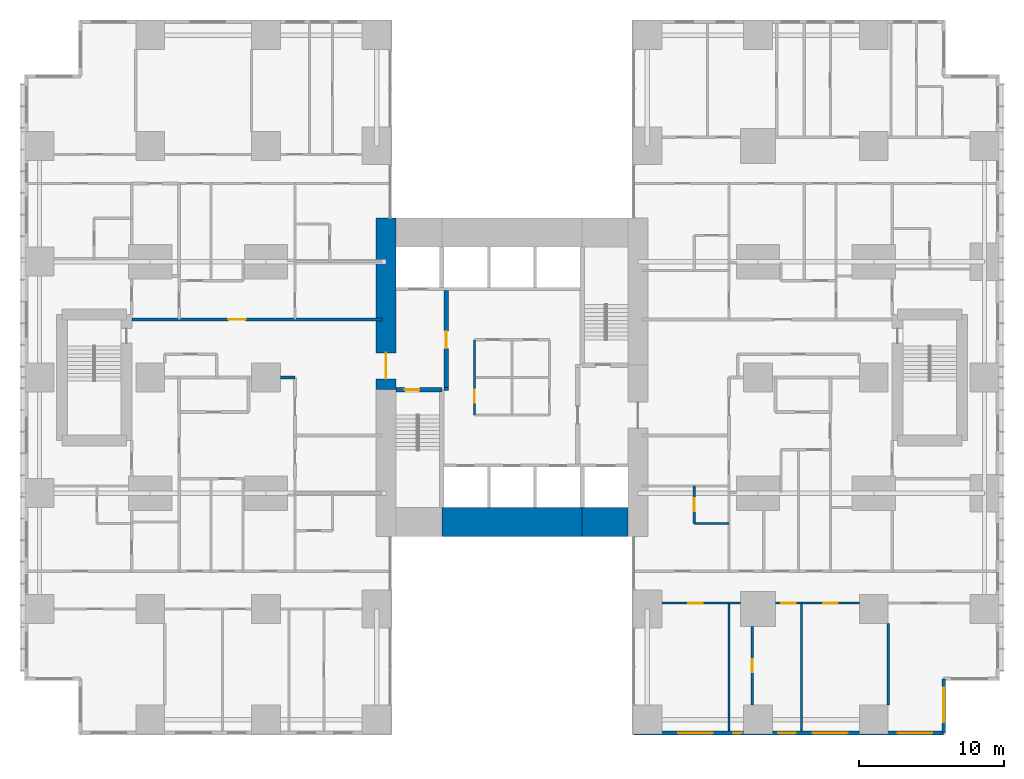
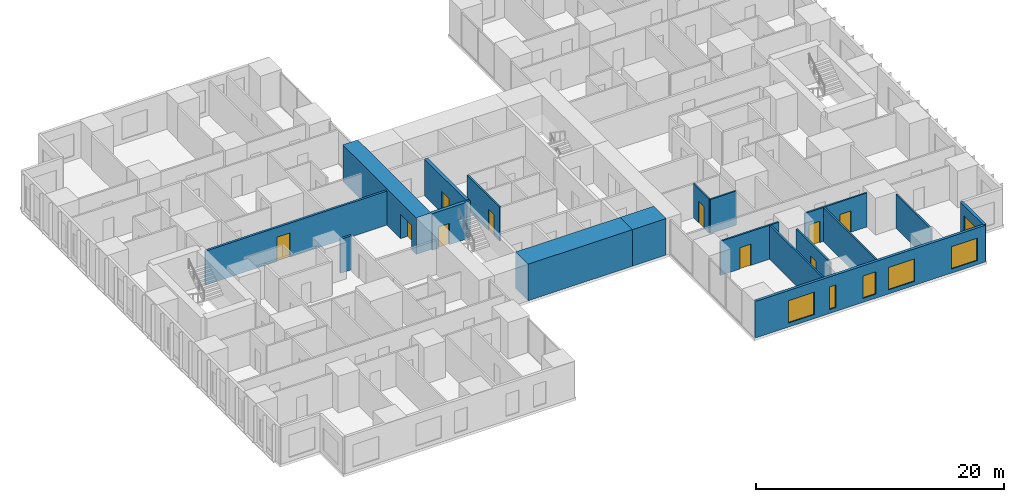
# One storey, part 14 of 20: 19 walls, 10 doors, 6 windows, 16 openings.
"""IFC4 building model written with IfcOpenShell, lengths in metres."""

from ifc_helpers import new_model, si_unit, direction, frame, frame_2d, origin, place, context, subcontext, project, spatial, rectangle, extrude, material, layer, layer_set, type_object, element, fill, save


model = new_model("IFC4")

# Units and contexts
model_context = context("Model", 3, precision=1e-05, world=origin(), true_north=direction((0.0, 1.0)))
body_context = subcontext(model_context, "Body", "Model", "MODEL_VIEW")
ifc_project = project(units=[si_unit("LENGTHUNIT", "METRE"), si_unit("AREAUNIT", "SQUARE_METRE"), si_unit("VOLUMEUNIT", "CUBIC_METRE"), si_unit("PLANEANGLEUNIT", "RADIAN"), si_unit("MASSUNIT", "GRAM", prefix="KILO")], contexts=[model_context])

# Site, building, storey
site_placement = place(None, origin())
site = spatial("IfcSite", under=ifc_project, at=site_placement, CompositionType="ELEMENT")
building_placement = place(site_placement, origin())
building = spatial("IfcBuilding", under=site, at=building_placement, Name="Cleftline Residences", CompositionType="ELEMENT")
storey_placement = place(building_placement, frame((0.0, 0.0, 139.39990234375)))
storey = spatial("IfcBuildingStorey", under=building, at=storey_placement, Name="L36", CompositionType="ELEMENT", Elevation=139.39990234375)

# Wall, opening, door
ifc_material_1 = material(Name="Concrete B70", Category="concrete")
ifc_layer_1 = layer(ifc_material_1, 1.39990234375)
ifc_layer_set_1 = layer_set([ifc_layer_1], Name="CORE WALL 1400")
wall_type_1 = type_object("IfcWallType", Name="CORE WALL 1400", PredefinedType="SHEAR", material=ifc_layer_set_1)
wall_1_placement = place(storey_placement, frame((24.300048828125, 23.14990234375, 0.0), z_axis=(0.0, 0.0, 1.0), x_axis=(0.0, 1.0, 0.0)))
wall_1 = element("IfcWall", 1, at=wall_1_placement, inside=storey, type_object=wall_type_1, Name="Core wall W", PredefinedType="SHEAR", context=body_context, shape_type="SweptSolid", body=[
    extrude(rectangle(XDim=11.85009765625, YDim=1.39990234375, at=frame_2d((5.925048828125, 0.0))), origin(), (0.0, 0.0, 1.0), 3.60009765625),
])
opening_1_placement = place(wall_1_placement, frame((0.75, 0.0, 0.0)))
opening_1 = element("IfcOpeningElement", 2, at=opening_1_placement, cuts=wall_1, Name="Opening D7", PredefinedType="OPENING", context=body_context, shape_type="SweptSolid", body=[
    extrude(rectangle(XDim=1.800048828125, YDim=2.39990234375, at=frame_2d((0.89990234375, 1.199951171875))), frame((0.0, 0.7099609375, 0.0), z_axis=(0.0, -1.0, 0.0), x_axis=(1.0, 0.0, 0.0)), (0.0, 0.0, 1.0), 1.419921875),
])
ifc_material_2 = material(Name="Steel", Category="steel")
door_type_1 = type_object("IfcDoorType", Name="WING DOOR 1800X2400", OperationType="DOUBLE_DOOR_DOUBLE_SWING", PredefinedType="DOOR", material=ifc_material_2)
door_1_placement = place(opening_1_placement, origin())
door_1 = element("IfcDoor", 3, at=door_1_placement, inside=storey, type_object=door_type_1, Name="West wing door", OperationType="DOUBLE_DOOR_DOUBLE_SWING", OverallHeight=2.39990234375, OverallWidth=1.800048828125, PredefinedType="DOOR", context=body_context, shape_type="SweptSolid", body=[
    extrude(rectangle(XDim=1.800048828125, YDim=2.39990234375, at=frame_2d((0.89990234375, 1.199951171875))), frame((0.0, 0.02490234375, 0.0), z_axis=(0.0, -1.0, 0.0), x_axis=(1.0, 0.0, 0.0)), (0.0, 0.0, 1.0), 0.050048828125),
])
fill(opening_1, door_1)

# Walls
ifc_material_3 = material(Name="Concrete B70", Category="concrete")
ifc_layer_2 = layer(ifc_material_3, 2.0)
ifc_layer_set_2 = layer_set([ifc_layer_2], Name="CORE WALL 2000")
wall_type_2 = type_object("IfcWallType", Name="CORE WALL 2000", PredefinedType="SHEAR", material=ifc_layer_set_2)
wall_2_placement = place(storey_placement, frame((28.14990234375, 14.0, 0.0), z_axis=(0.0, 0.0, 1.0), x_axis=(1.0, 0.0, 0.0)))
element("IfcWall", 4, at=wall_2_placement, inside=storey, type_object=wall_type_2, Name="Core wall S2", PredefinedType="SHEAR", context=body_context, shape_type="SweptSolid", body=[
    extrude(rectangle(XDim=9.7001953125, YDim=2.0, at=frame_2d((4.85009765625, 0.0))), origin(), (0.0, 0.0, 1.0), 3.60009765625),
])
wall_3_placement = place(storey_placement, frame((37.85009765625, 14.0, 0.0), z_axis=(0.0, 0.0, 1.0), x_axis=(1.0, 0.0, 0.0)))
element("IfcWall", 5, at=wall_3_placement, inside=storey, type_object=wall_type_2, Name="Core wall S3", PredefinedType="SHEAR", context=body_context, shape_type="SweptSolid", body=[
    extrude(rectangle(XDim=3.14990234375, YDim=2.0, at=frame_2d((1.574951171875, 0.0))), origin(), (0.0, 0.0, 1.0), 3.60009765625),
])

# Wall, opening, door
ifc_material_4 = material(Name="Concrete B70", Category="concrete")
ifc_layer_3 = layer(ifc_material_4, 0.300048828125)
ifc_layer_set_3 = layer_set([ifc_layer_3], Name="CORE WALL 300")
wall_type_3 = type_object("IfcWallType", Name="CORE WALL 300", PredefinedType="SHEAR", material=ifc_layer_set_3)
wall_4_placement = place(storey_placement, frame((25.0, 23.14990234375, 0.0), z_axis=(0.0, 0.0, 1.0), x_axis=(1.0, 0.0, 0.0)))
wall_4 = element("IfcWall", 6, at=wall_4_placement, inside=storey, type_object=wall_type_3, Name="Core wall SA-N", PredefinedType="SHEAR", context=body_context, shape_type="SweptSolid", body=[
    extrude(rectangle(XDim=3.14990234375, YDim=0.300048828125, at=frame_2d((1.574951171875, 0.0))), origin(), (0.0, 0.0, 1.0), 3.60009765625),
])
opening_2_placement = place(wall_4_placement, frame((0.60009765625, 0.0, 0.0)))
opening_2 = element("IfcOpeningElement", 7, at=opening_2_placement, cuts=wall_4, Name="Opening D5", PredefinedType="OPENING", context=body_context, shape_type="SweptSolid", body=[
    extrude(rectangle(XDim=1.0, YDim=2.10009765625, at=frame_2d((0.5, 1.050048828125))), frame((0.0, 0.159912109375, 0.0), z_axis=(0.0, -1.0, 0.0), x_axis=(1.0, 0.0, 0.0)), (0.0, 0.0, 1.0), 0.320068359375),
])
ifc_material_5 = material(Name="Steel", Category="steel")
door_type_2 = type_object("IfcDoorType", Name="STAIR DOOR 1000X2100", OperationType="SINGLE_SWING_LEFT", PredefinedType="DOOR", material=ifc_material_5)
door_2_placement = place(opening_2_placement, origin())
door_2 = element("IfcDoor", 8, at=door_2_placement, inside=storey, type_object=door_type_2, Name="Stair A door", OperationType="SINGLE_SWING_RIGHT", OverallHeight=2.10009765625, OverallWidth=1.0, PredefinedType="DOOR", context=body_context, shape_type="SweptSolid", body=[
    extrude(rectangle(XDim=1.0, YDim=2.10009765625, at=frame_2d((0.5, 1.050048828125))), frame((0.0, 0.02490234375, 0.0), z_axis=(0.0, -1.0, 0.0), x_axis=(1.0, 0.0, 0.0)), (0.0, 0.0, 1.0), 0.050048828125),
])
fill(opening_2, door_2)

# Wall, openings, windows
ifc_material_6 = material(Name="Rendered reinforced concrete blockwork", Category="masonry")
ifc_layer_4 = layer(ifc_material_6, 0.25)
ifc_layer_set_4 = layer_set([ifc_layer_4], Name="EXTERNAL WALL 250")
wall_type_4 = type_object("IfcWallType", Name="EXTERNAL WALL 250", PredefinedType="SOLIDWALL", material=ifc_layer_set_4)
wall_5_placement = place(storey_placement, frame((41.425048828125, -0.574951171875, 0.0), z_axis=(0.0, 0.0, 1.0), x_axis=(1.0, 0.0, 0.0)))
wall_5 = element("IfcWall", 9, at=wall_5_placement, inside=storey, type_object=wall_type_4, Name="External wall", PredefinedType="SOLIDWALL", context=body_context, shape_type="SweptSolid", body=[
    extrude(rectangle(XDim=21.39990234375, YDim=0.25, at=frame_2d((10.699951171875, 0.0))), origin(), (0.0, 0.0, 1.0), 3.60009765625),
])
opening_3_placement = place(wall_5_placement, frame((3.050048828125, 0.0, 0.39990234375)))
opening_3 = element("IfcOpeningElement", 10, at=opening_3_placement, cuts=wall_5, Name="Opening W12", PredefinedType="OPENING", context=body_context, shape_type="SweptSolid", body=[
    extrude(rectangle(XDim=2.39990234375, YDim=2.199951171875, at=frame_2d((1.199951171875, 1.10009765625))), frame((0.0, 0.135009765625, 0.0), z_axis=(0.0, -1.0, 0.0), x_axis=(1.0, 0.0, 0.0)), (0.0, 0.0, 1.0), 0.27001953125),
])
opening_4_placement = place(wall_5_placement, frame((6.85009765625, 0.0, 0.39990234375)))
opening_4 = element("IfcOpeningElement", 11, at=opening_4_placement, cuts=wall_5, Name="Opening W10", PredefinedType="OPENING", context=body_context, shape_type="SweptSolid", body=[
    extrude(rectangle(XDim=0.60009765625, YDim=2.199951171875, at=frame_2d((0.300048828125, 1.10009765625))), frame((0.0, 0.135009765625, 0.0), z_axis=(0.0, -1.0, 0.0), x_axis=(1.0, 0.0, 0.0)), (0.0, 0.0, 1.0), 0.27001953125),
])
opening_5_placement = place(wall_5_placement, frame((9.97509765625, 0.0, 0.39990234375)))
opening_5 = element("IfcOpeningElement", 12, at=opening_5_placement, cuts=wall_5, Name="Opening W11", PredefinedType="OPENING", context=body_context, shape_type="SweptSolid", body=[
    extrude(rectangle(XDim=1.199951171875, YDim=2.199951171875, at=frame_2d((0.60009765625, 1.10009765625))), frame((0.0, 0.135009765625, 0.0), z_axis=(0.0, -1.0, 0.0), x_axis=(1.0, 0.0, 0.0)), (0.0, 0.0, 1.0), 0.27001953125),
])
opening_6_placement = place(wall_5_placement, frame((12.375, 0.0, 0.39990234375)))
opening_6 = element("IfcOpeningElement", 13, at=opening_6_placement, cuts=wall_5, Name="Opening W12", PredefinedType="OPENING", context=body_context, shape_type="SweptSolid", body=[
    extrude(rectangle(XDim=2.39990234375, YDim=2.199951171875, at=frame_2d((1.199951171875, 1.10009765625))), frame((0.0, 0.135009765625, 0.0), z_axis=(0.0, -1.0, 0.0), x_axis=(1.0, 0.0, 0.0)), (0.0, 0.0, 1.0), 0.27001953125),
])
opening_7_placement = place(wall_5_placement, frame((18.22509765625, 0.0, 0.39990234375)))
opening_7 = element("IfcOpeningElement", 14, at=opening_7_placement, cuts=wall_5, Name="Opening W12", PredefinedType="OPENING", context=body_context, shape_type="SweptSolid", body=[
    extrude(rectangle(XDim=2.39990234375, YDim=2.199951171875, at=frame_2d((1.199951171875, 1.10009765625))), frame((0.0, 0.135009765625, 0.0), z_axis=(0.0, -1.0, 0.0), x_axis=(1.0, 0.0, 0.0)), (0.0, 0.0, 1.0), 0.27001953125),
])
ifc_material_7 = material(Name="Aluminium frame, clear double glazing", Category="aluminium")
window_type_1 = type_object("IfcWindowType", Name="WINDOW 1200X2200", PartitioningType="DOUBLE_PANEL_VERTICAL", PredefinedType="WINDOW", material=ifc_material_7)
window_1_placement = place(opening_5_placement, origin())
window_1 = element("IfcWindow", 15, at=window_1_placement, inside=storey, type_object=window_type_1, Name="Window", OverallHeight=2.199951171875, OverallWidth=1.199951171875, PartitioningType="SINGLE_PANEL", PredefinedType="WINDOW", context=body_context, shape_type="SweptSolid", body=[
    extrude(rectangle(XDim=1.199951171875, YDim=2.199951171875, at=frame_2d((0.60009765625, 1.10009765625))), frame((0.0, 0.030029296875, 0.0), z_axis=(0.0, -1.0, 0.0), x_axis=(1.0, 0.0, 0.0)), (0.0, 0.0, 1.0), 0.06005859375),
])
fill(opening_5, window_1)
ifc_material_8 = material(Name="Aluminium frame, clear double glazing", Category="aluminium")
window_type_2 = type_object("IfcWindowType", Name="WINDOW 2400X2200", PartitioningType="DOUBLE_PANEL_VERTICAL", PredefinedType="WINDOW", material=ifc_material_8)
window_2_placement = place(opening_3_placement, origin())
window_2 = element("IfcWindow", 16, at=window_2_placement, inside=storey, type_object=window_type_2, Name="Window", OverallHeight=2.199951171875, OverallWidth=2.39990234375, PartitioningType="SINGLE_PANEL", PredefinedType="WINDOW", context=body_context, shape_type="SweptSolid", body=[
    extrude(rectangle(XDim=2.39990234375, YDim=2.199951171875, at=frame_2d((1.199951171875, 1.10009765625))), frame((0.0, 0.030029296875, 0.0), z_axis=(0.0, -1.0, 0.0), x_axis=(1.0, 0.0, 0.0)), (0.0, 0.0, 1.0), 0.06005859375),
])
fill(opening_3, window_2)
window_3_placement = place(opening_6_placement, origin())
window_3 = element("IfcWindow", 17, at=window_3_placement, inside=storey, type_object=window_type_2, Name="Window", OverallHeight=2.199951171875, OverallWidth=2.39990234375, PartitioningType="SINGLE_PANEL", PredefinedType="WINDOW", context=body_context, shape_type="SweptSolid", body=[
    extrude(rectangle(XDim=2.39990234375, YDim=2.199951171875, at=frame_2d((1.199951171875, 1.10009765625))), frame((0.0, 0.030029296875, 0.0), z_axis=(0.0, -1.0, 0.0), x_axis=(1.0, 0.0, 0.0)), (0.0, 0.0, 1.0), 0.06005859375),
])
fill(opening_6, window_3)
window_4_placement = place(opening_7_placement, origin())
window_4 = element("IfcWindow", 18, at=window_4_placement, inside=storey, type_object=window_type_2, Name="Window", OverallHeight=2.199951171875, OverallWidth=2.39990234375, PartitioningType="SINGLE_PANEL", PredefinedType="WINDOW", context=body_context, shape_type="SweptSolid", body=[
    extrude(rectangle(XDim=2.39990234375, YDim=2.199951171875, at=frame_2d((1.199951171875, 1.10009765625))), frame((0.0, 0.030029296875, 0.0), z_axis=(0.0, -1.0, 0.0), x_axis=(1.0, 0.0, 0.0)), (0.0, 0.0, 1.0), 0.06005859375),
])
fill(opening_7, window_4)
ifc_material_9 = material(Name="Aluminium frame, clear double glazing", Category="aluminium")
window_type_3 = type_object("IfcWindowType", Name="WINDOW 600X2200", PartitioningType="DOUBLE_PANEL_VERTICAL", PredefinedType="WINDOW", material=ifc_material_9)
window_5_placement = place(opening_4_placement, origin())
window_5 = element("IfcWindow", 19, at=window_5_placement, inside=storey, type_object=window_type_3, Name="Window", OverallHeight=2.199951171875, OverallWidth=0.60009765625, PartitioningType="SINGLE_PANEL", PredefinedType="WINDOW", context=body_context, shape_type="SweptSolid", body=[
    extrude(rectangle(XDim=0.60009765625, YDim=2.199951171875, at=frame_2d((0.300048828125, 1.10009765625))), frame((0.0, 0.030029296875, 0.0), z_axis=(0.0, -1.0, 0.0), x_axis=(1.0, 0.0, 0.0)), (0.0, 0.0, 1.0), 0.06005859375),
])
fill(opening_4, window_5)

# Wall, opening, window
wall_6_placement = place(storey_placement, frame((62.824951171875, -0.574951171875, 0.0), z_axis=(0.0, 0.0, 1.0), x_axis=(0.0, 1.0, 0.0)))
wall_6 = element("IfcWall", 20, at=wall_6_placement, inside=storey, type_object=wall_type_4, Name="External wall", PredefinedType="SOLIDWALL", context=body_context, shape_type="SweptSolid", body=[
    extrude(rectangle(XDim=3.75, YDim=0.25, at=frame_2d((1.875, 0.0))), origin(), (0.0, 0.0, 1.0), 3.60009765625),
])
opening_8_placement = place(wall_6_placement, frame((0.737548828125, 0.0, 0.39990234375)))
opening_8 = element("IfcOpeningElement", 21, at=opening_8_placement, cuts=wall_6, Name="Opening W12", PredefinedType="OPENING", context=body_context, shape_type="SweptSolid", body=[
    extrude(rectangle(XDim=2.39990234375, YDim=2.199951171875, at=frame_2d((1.199951171875, 1.10009765625))), frame((0.0, 0.135009765625, 0.0), z_axis=(0.0, -1.0, 0.0), x_axis=(1.0, 0.0, 0.0)), (0.0, 0.0, 1.0), 0.27001953125),
])
window_6_placement = place(opening_8_placement, origin())
window_6 = element("IfcWindow", 22, at=window_6_placement, inside=storey, type_object=window_type_2, Name="Window", OverallHeight=2.199951171875, OverallWidth=2.39990234375, PartitioningType="SINGLE_PANEL", PredefinedType="WINDOW", context=body_context, shape_type="SweptSolid", body=[
    extrude(rectangle(XDim=2.39990234375, YDim=2.199951171875, at=frame_2d((1.199951171875, 1.10009765625))), frame((0.0, 0.030029296875, 0.0), z_axis=(0.0, -1.0, 0.0), x_axis=(1.0, 0.0, 0.0)), (0.0, 0.0, 1.0), 0.06005859375),
])
fill(opening_8, window_6)

# Wall
ifc_material_10 = material(Name="Concrete blockwork, fire rated", Category="masonry")
ifc_layer_5 = layer(ifc_material_10, 0.199951171875)
ifc_layer_set_5 = layer_set([ifc_layer_5], Name="FIRE WALL 200")
wall_type_5 = type_object("IfcWallType", Name="FIRE WALL 200", PredefinedType="PARTITIONING", material=ifc_layer_set_5)
wall_7_placement = place(storey_placement, frame((17.0, 24.0, 0.0), z_axis=(0.0, 0.0, 1.0), x_axis=(1.0, 0.0, 0.0)))
element("IfcWall", 23, at=wall_7_placement, inside=storey, type_object=wall_type_5, Name="Fire separating wall", PredefinedType="PARTITIONING", context=body_context, shape_type="SweptSolid", body=[
    extrude(rectangle(XDim=1.0, YDim=0.199951171875, at=frame_2d((0.5, 0.0))), origin(), (0.0, 0.0, 1.0), 3.35009765625),
])

# Wall, opening, door
wall_8_placement = place(storey_placement, frame((6.72509765625, 28.0, 0.0), z_axis=(0.0, 0.0, 1.0), x_axis=(1.0, 0.0, 0.0)))
wall_8 = element("IfcWall", 24, at=wall_8_placement, inside=storey, type_object=wall_type_5, Name="Fire separating wall", PredefinedType="PARTITIONING", context=body_context, shape_type="SweptSolid", body=[
    extrude(rectangle(XDim=17.27490234375, YDim=0.199951171875, at=frame_2d((8.637451171875, 0.0))), origin(), (0.0, 0.0, 1.0), 3.35009765625),
])
opening_9_placement = place(wall_8_placement, frame((6.675048828125, 0.0, 0.0)))
opening_9 = element("IfcOpeningElement", 25, at=opening_9_placement, cuts=wall_8, Name="Opening D4", PredefinedType="OPENING", context=body_context, shape_type="SweptSolid", body=[
    extrude(rectangle(XDim=1.199951171875, YDim=2.39990234375, at=frame_2d((0.60009765625, 1.199951171875))), frame((0.0, 0.10986328125, 0.0), z_axis=(0.0, -1.0, 0.0), x_axis=(1.0, 0.0, 0.0)), (0.0, 0.0, 1.0), 0.219970703125),
])
ifc_material_11 = material(Name="Timber veneer on solid core", Category="wood")
door_type_3 = type_object("IfcDoorType", Name="APARTMENT ENTRANCE DOOR 1200X2400", OperationType="SINGLE_SWING_RIGHT", PredefinedType="DOOR", material=ifc_material_11)
door_3_placement = place(opening_9_placement, origin())
door_3 = element("IfcDoor", 26, at=door_3_placement, inside=storey, type_object=door_type_3, Name="Door to residence entrance foyer", OperationType="SINGLE_SWING_RIGHT", OverallHeight=2.39990234375, OverallWidth=1.199951171875, PredefinedType="DOOR", context=body_context, shape_type="SweptSolid", body=[
    extrude(rectangle(XDim=1.199951171875, YDim=2.39990234375, at=frame_2d((0.60009765625, 1.199951171875))), frame((0.0, 0.02490234375, 0.0), z_axis=(0.0, -1.0, 0.0), x_axis=(1.0, 0.0, 0.0)), (0.0, 0.0, 1.0), 0.050048828125),
])
fill(opening_9, door_3)

# Wall
wall_9_placement = place(storey_placement, frame((28.300048828125, 23.199951171875, 0.0), z_axis=(0.0, 0.0, 1.0), x_axis=(1.0, 0.0, 0.0)))
element("IfcWall", 27, at=wall_9_placement, inside=storey, type_object=wall_type_5, Name="Fire separating wall", PredefinedType="PARTITIONING", context=body_context, shape_type="SweptSolid", body=[
    extrude(rectangle(XDim=0.300048828125, YDim=0.199951171875, at=frame_2d((0.14990234375, 0.0))), origin(), (0.0, 0.0, 1.0), 3.60009765625),
])

# Wall, opening, door
ifc_material_12 = material(Name="Gypsum board on steel studs", Category="steel")
ifc_layer_6 = layer(ifc_material_12, 0.14990234375)
ifc_layer_set_6 = layer_set([ifc_layer_6], Name="PARTITION 150")
wall_type_6 = type_object("IfcWallType", Name="PARTITION 150", PredefinedType="PARTITIONING", material=ifc_layer_set_6)
wall_10_placement = place(storey_placement, frame((43.35009765625, 8.39990234375, 0.0), z_axis=(0.0, 0.0, 1.0), x_axis=(1.0, 0.0, 0.0)))
wall_10 = element("IfcWall", 28, at=wall_10_placement, inside=storey, type_object=wall_type_6, Name="Partition", PredefinedType="PARTITIONING", context=body_context, shape_type="SweptSolid", body=[
    extrude(rectangle(XDim=5.449951171875, YDim=0.14990234375, at=frame_2d((2.72509765625, 0.0))), origin(), (0.0, 0.0, 1.0), 3.35009765625),
])
opening_10_placement = place(wall_10_placement, frame((1.824951171875, 0.0, 0.0)))
opening_10 = element("IfcOpeningElement", 29, at=opening_10_placement, cuts=wall_10, Name="Opening D2", PredefinedType="OPENING", context=body_context, shape_type="SweptSolid", body=[
    extrude(rectangle(XDim=1.0, YDim=2.10009765625, at=frame_2d((0.5, 1.050048828125))), frame((0.0, 0.0849609375, 0.0), z_axis=(0.0, -1.0, 0.0), x_axis=(1.0, 0.0, 0.0)), (0.0, 0.0, 1.0), 0.169921875),
])
ifc_material_13 = material(Name="Timber veneer on solid core", Category="wood")
door_type_4 = type_object("IfcDoorType", Name="DOOR 1000X2100", OperationType="SINGLE_SWING_LEFT", PredefinedType="DOOR", material=ifc_material_13)
door_4_placement = place(opening_10_placement, origin())
door_4 = element("IfcDoor", 30, at=door_4_placement, inside=storey, type_object=door_type_4, Name="Door to breakfast room", OperationType="SINGLE_SWING_RIGHT", OverallHeight=2.10009765625, OverallWidth=1.0, PredefinedType="DOOR", context=body_context, shape_type="SweptSolid", body=[
    extrude(rectangle(XDim=1.0, YDim=2.10009765625, at=frame_2d((0.5, 1.050048828125))), frame((0.0, 0.02490234375, 0.0), z_axis=(0.0, -1.0, 0.0), x_axis=(1.0, 0.0, 0.0)), (0.0, 0.0, 1.0), 0.050048828125),
])
fill(opening_10, door_4)

# Wall, openings, doors
wall_11_placement = place(storey_placement, frame((51.199951171875, 8.39990234375, 0.0), z_axis=(0.0, 0.0, 1.0), x_axis=(1.0, 0.0, 0.0)))
wall_11 = element("IfcWall", 31, at=wall_11_placement, inside=storey, type_object=wall_type_6, Name="Partition", PredefinedType="PARTITIONING", context=body_context, shape_type="SweptSolid", body=[
    extrude(rectangle(XDim=5.800048828125, YDim=0.14990234375, at=frame_2d((2.89990234375, 0.0))), origin(), (0.0, 0.0, 1.0), 3.35009765625),
])
opening_11_placement = place(wall_11_placement, frame((3.300048828125, 0.0, 0.0)))
opening_11 = element("IfcOpeningElement", 32, at=opening_11_placement, cuts=wall_11, Name="Opening D2", PredefinedType="OPENING", context=body_context, shape_type="SweptSolid", body=[
    extrude(rectangle(XDim=1.0, YDim=2.10009765625, at=frame_2d((0.5, 1.050048828125))), frame((0.0, 0.0849609375, 0.0), z_axis=(0.0, -1.0, 0.0), x_axis=(1.0, 0.0, 0.0)), (0.0, 0.0, 1.0), 0.169921875),
])
opening_12_placement = place(wall_11_placement, frame((0.39990234375, 0.0, 0.0)))
opening_12 = element("IfcOpeningElement", 33, at=opening_12_placement, cuts=wall_11, Name="Opening D2", PredefinedType="OPENING", context=body_context, shape_type="SweptSolid", body=[
    extrude(rectangle(XDim=1.0, YDim=2.10009765625, at=frame_2d((0.5, 1.050048828125))), frame((0.0, 0.0849609375, 0.0), z_axis=(0.0, -1.0, 0.0), x_axis=(1.0, 0.0, 0.0)), (0.0, 0.0, 1.0), 0.169921875),
])
door_5_placement = place(opening_11_placement, origin())
door_5 = element("IfcDoor", 34, at=door_5_placement, inside=storey, type_object=door_type_4, Name="Door to dining room", OperationType="SINGLE_SWING_LEFT", OverallHeight=2.10009765625, OverallWidth=1.0, PredefinedType="DOOR", context=body_context, shape_type="SweptSolid", body=[
    extrude(rectangle(XDim=1.0, YDim=2.10009765625, at=frame_2d((0.5, 1.050048828125))), frame((0.0, 0.02490234375, 0.0), z_axis=(0.0, -1.0, 0.0), x_axis=(1.0, 0.0, 0.0)), (0.0, 0.0, 1.0), 0.050048828125),
])
fill(opening_11, door_5)
door_6_placement = place(opening_12_placement, origin())
door_6 = element("IfcDoor", 35, at=door_6_placement, inside=storey, type_object=door_type_4, Name="Door to show kitchen", OperationType="SINGLE_SWING_RIGHT", OverallHeight=2.10009765625, OverallWidth=1.0, PredefinedType="DOOR", context=body_context, shape_type="SweptSolid", body=[
    extrude(rectangle(XDim=1.0, YDim=2.10009765625, at=frame_2d((0.5, 1.050048828125))), frame((0.0, 0.02490234375, 0.0), z_axis=(0.0, -1.0, 0.0), x_axis=(1.0, 0.0, 0.0)), (0.0, 0.0, 1.0), 0.050048828125),
])
fill(opening_12, door_6)

# Wall
wall_12_placement = place(storey_placement, frame((45.60009765625, 13.89990234375, 0.0), z_axis=(0.0, 0.0, 1.0), x_axis=(1.0, 0.0, 0.0)))
element("IfcWall", 36, at=wall_12_placement, inside=storey, type_object=wall_type_6, Name="Partition", PredefinedType="PARTITIONING", context=body_context, shape_type="SweptSolid", body=[
    extrude(rectangle(XDim=2.39990234375, YDim=0.14990234375, at=frame_2d((1.199951171875, 0.0))), origin(), (0.0, 0.0, 1.0), 3.35009765625),
])

# Wall, opening, door
wall_13_placement = place(storey_placement, frame((45.60009765625, 13.89990234375, 0.0), z_axis=(0.0, 0.0, 1.0), x_axis=(0.0, 1.0, 0.0)))
wall_13 = element("IfcWall", 37, at=wall_13_placement, inside=storey, type_object=wall_type_6, Name="Partition", PredefinedType="PARTITIONING", context=body_context, shape_type="SweptSolid", body=[
    extrude(rectangle(XDim=2.60009765625, YDim=0.14990234375, at=frame_2d((1.300048828125, 0.0))), origin(), (0.0, 0.0, 1.0), 3.35009765625),
])
opening_13_placement = place(wall_13_placement, frame((0.85009765625, 0.0, 0.0)))
opening_13 = element("IfcOpeningElement", 38, at=opening_13_placement, cuts=wall_13, Name="Opening D1", PredefinedType="OPENING", context=body_context, shape_type="SweptSolid", body=[
    extrude(rectangle(XDim=0.89990234375, YDim=2.10009765625, at=frame_2d((0.449951171875, 1.050048828125))), frame((0.0, 0.0849609375, 0.0), z_axis=(0.0, -1.0, 0.0), x_axis=(1.0, 0.0, 0.0)), (0.0, 0.0, 1.0), 0.169921875),
])
ifc_material_14 = material(Name="Timber veneer on solid core", Category="wood")
door_type_5 = type_object("IfcDoorType", Name="DOOR 900X2100", OperationType="SINGLE_SWING_LEFT", PredefinedType="DOOR", material=ifc_material_14)
door_7_placement = place(opening_13_placement, origin())
door_7 = element("IfcDoor", 39, at=door_7_placement, inside=storey, type_object=door_type_5, Name="Door to staff shower room", OperationType="SINGLE_SWING_LEFT", OverallHeight=2.10009765625, OverallWidth=0.89990234375, PredefinedType="DOOR", context=body_context, shape_type="SweptSolid", body=[
    extrude(rectangle(XDim=0.89990234375, YDim=2.10009765625, at=frame_2d((0.449951171875, 1.050048828125))), frame((0.0, 0.02490234375, 0.0), z_axis=(0.0, -1.0, 0.0), x_axis=(1.0, 0.0, 0.0)), (0.0, 0.0, 1.0), 0.050048828125),
])
fill(opening_13, door_7)

# Wall
wall_14_placement = place(storey_placement, frame((48.0, -0.449951171875, 0.0), z_axis=(0.0, 0.0, 1.0), x_axis=(0.0, 1.0, 0.0)))
element("IfcWall", 40, at=wall_14_placement, inside=storey, type_object=wall_type_6, Name="Partition", PredefinedType="PARTITIONING", context=body_context, shape_type="SweptSolid", body=[
    extrude(rectangle(XDim=8.849853515625, YDim=0.14990234375, at=frame_2d((4.4248046875, 0.0))), origin(), (0.0, 0.0, 1.0), 3.35009765625),
])

# Wall, opening, door
wall_15_placement = place(storey_placement, frame((49.60009765625, 1.35009765625, 0.0), z_axis=(0.0, 0.0, 1.0), x_axis=(0.0, 1.0, 0.0)))
wall_15 = element("IfcWall", 41, at=wall_15_placement, inside=storey, type_object=wall_type_6, Name="Partition", PredefinedType="PARTITIONING", context=body_context, shape_type="SweptSolid", body=[
    extrude(rectangle(XDim=5.449951171875, YDim=0.14990234375, at=frame_2d((2.72509765625, 0.0))), origin(), (0.0, 0.0, 1.0), 3.35009765625),
])
opening_14_placement = place(wall_15_placement, frame((2.27490234375, 0.0, 0.0)))
opening_14 = element("IfcOpeningElement", 42, at=opening_14_placement, cuts=wall_15, Name="Opening D1", PredefinedType="OPENING", context=body_context, shape_type="SweptSolid", body=[
    extrude(rectangle(XDim=0.89990234375, YDim=2.10009765625, at=frame_2d((0.449951171875, 1.050048828125))), frame((0.0, 0.0849609375, 0.0), z_axis=(0.0, -1.0, 0.0), x_axis=(1.0, 0.0, 0.0)), (0.0, 0.0, 1.0), 0.169921875),
])
door_8_placement = place(opening_14_placement, origin())
door_8 = element("IfcDoor", 43, at=door_8_placement, inside=storey, type_object=door_type_5, Name="Door to larder", OperationType="SINGLE_SWING_LEFT", OverallHeight=2.10009765625, OverallWidth=0.89990234375, PredefinedType="DOOR", context=body_context, shape_type="SweptSolid", body=[
    extrude(rectangle(XDim=0.89990234375, YDim=2.10009765625, at=frame_2d((0.449951171875, 1.050048828125))), frame((0.0, 0.02490234375, 0.0), z_axis=(0.0, -1.0, 0.0), x_axis=(1.0, 0.0, 0.0)), (0.0, 0.0, 1.0), 0.050048828125),
])
fill(opening_14, door_8)

# Walls
wall_16_placement = place(storey_placement, frame((53.0, -0.449951171875, 0.0), z_axis=(0.0, 0.0, 1.0), x_axis=(0.0, 1.0, 0.0)))
element("IfcWall", 44, at=wall_16_placement, inside=storey, type_object=wall_type_6, Name="Partition", PredefinedType="PARTITIONING", context=body_context, shape_type="SweptSolid", body=[
    extrude(rectangle(XDim=8.849853515625, YDim=0.14990234375, at=frame_2d((4.4248046875, 0.0))), origin(), (0.0, 0.0, 1.0), 3.35009765625),
])
wall_17_placement = place(storey_placement, frame((59.0, 1.35009765625, 0.0), z_axis=(0.0, 0.0, 1.0), x_axis=(0.0, 1.0, 0.0)))
element("IfcWall", 45, at=wall_17_placement, inside=storey, type_object=wall_type_6, Name="Partition", PredefinedType="PARTITIONING", context=body_context, shape_type="SweptSolid", body=[
    extrude(rectangle(XDim=5.64990234375, YDim=0.14990234375, at=frame_2d((2.824951171875, 0.0))), origin(), (0.0, 0.0, 1.0), 3.35009765625),
])

# Wall, opening, door
ifc_material_15 = material(Name="Fire-resisting gypsum board on steel studs", Category="steel")
ifc_layer_7 = layer(ifc_material_15, 0.14990234375)
ifc_layer_set_7 = layer_set([ifc_layer_7], Name="PARTITION 150 EI 60")
wall_type_7 = type_object("IfcWallType", Name="PARTITION 150 EI 60", PredefinedType="PARTITIONING", material=ifc_layer_set_7)
wall_18_placement = place(storey_placement, frame((30.39990234375, 21.39990234375, 0.0), z_axis=(0.0, 0.0, 1.0), x_axis=(0.0, 1.0, 0.0)))
wall_18 = element("IfcWall", 46, at=wall_18_placement, inside=storey, type_object=wall_type_7, Name="Core room partition", PredefinedType="PARTITIONING", context=body_context, shape_type="SweptSolid", body=[
    extrude(rectangle(XDim=5.2001953125, YDim=0.14990234375, at=frame_2d((2.60009765625, 0.0))), origin(), (0.0, 0.0, 1.0), 3.35009765625),
])
opening_15_placement = place(wall_18_placement, frame((0.85009765625, 0.0, 0.0)))
opening_15 = element("IfcOpeningElement", 47, at=opening_15_placement, cuts=wall_18, Name="Opening D1F30", PredefinedType="OPENING", context=body_context, shape_type="SweptSolid", body=[
    extrude(rectangle(XDim=0.89990234375, YDim=2.10009765625, at=frame_2d((0.449951171875, 1.050048828125))), frame((0.0, 0.0849609375, 0.0), z_axis=(0.0, -1.0, 0.0), x_axis=(1.0, 0.0, 0.0)), (0.0, 0.0, 1.0), 0.169921875),
])
ifc_material_16 = material(Name="Timber veneer on solid core", Category="wood")
door_type_6 = type_object("IfcDoorType", Name="DOOR 900X2100 EI 30", OperationType="SINGLE_SWING_LEFT", PredefinedType="DOOR", material=ifc_material_16)
door_9_placement = place(opening_15_placement, origin())
door_9 = element("IfcDoor", 48, at=door_9_placement, inside=storey, type_object=door_type_6, Name="Door to housekeeping pantry", OperationType="SINGLE_SWING_RIGHT", OverallHeight=2.10009765625, OverallWidth=0.89990234375, PredefinedType="DOOR", context=body_context, shape_type="SweptSolid", body=[
    extrude(rectangle(XDim=0.89990234375, YDim=2.10009765625, at=frame_2d((0.449951171875, 1.050048828125))), frame((0.0, 0.02490234375, 0.0), z_axis=(0.0, -1.0, 0.0), x_axis=(1.0, 0.0, 0.0)), (0.0, 0.0, 1.0), 0.050048828125),
])
fill(opening_15, door_9)

ifc_material_17 = material(Name="Concrete blockwork, fire rated", Category="masonry")
ifc_layer_8 = layer(ifc_material_17, 0.300048828125)
ifc_layer_set_8 = layer_set([ifc_layer_8], Name="STAIR LOBBY WALL 300")
wall_type_8 = type_object("IfcWallType", Name="STAIR LOBBY WALL 300", PredefinedType="PARTITIONING", material=ifc_layer_set_8)
wall_19_placement = place(storey_placement, frame((28.449951171875, 23.300048828125, 0.0), z_axis=(0.0, 0.0, 1.0), x_axis=(0.0, 1.0, 0.0)))
wall_19 = element("IfcWall", 49, at=wall_19_placement, inside=storey, type_object=wall_type_8, Name="Stair and lobby wall FA-E", PredefinedType="PARTITIONING", context=body_context, shape_type="SweptSolid", body=[
    extrude(rectangle(XDim=6.699951171875, YDim=0.300048828125, at=frame_2d((3.35009765625, 0.0))), origin(), (0.0, 0.0, 1.0), 3.60009765625),
])
opening_16_placement = place(wall_19_placement, frame((2.699951171875, 0.0, 0.0)))
opening_16 = element("IfcOpeningElement", 50, at=opening_16_placement, cuts=wall_19, Name="Opening D6", PredefinedType="OPENING", context=body_context, shape_type="SweptSolid", body=[
    extrude(rectangle(XDim=1.199951171875, YDim=2.10009765625, at=frame_2d((0.60009765625, 1.050048828125))), frame((0.0, 0.159912109375, 0.0), z_axis=(0.0, -1.0, 0.0), x_axis=(1.0, 0.0, 0.0)), (0.0, 0.0, 1.0), 0.320068359375),
])
ifc_material_18 = material(Name="Steel", Category="steel")
door_type_7 = type_object("IfcDoorType", Name="LOBBY DOOR 1200X2100", OperationType="SINGLE_SWING_RIGHT", PredefinedType="DOOR", material=ifc_material_18)
door_10_placement = place(opening_16_placement, origin())
door_10 = element("IfcDoor", 51, at=door_10_placement, inside=storey, type_object=door_type_7, Name="Firefighting lobby A door", OperationType="SINGLE_SWING_RIGHT", OverallHeight=2.10009765625, OverallWidth=1.199951171875, PredefinedType="DOOR", context=body_context, shape_type="SweptSolid", body=[
    extrude(rectangle(XDim=1.199951171875, YDim=2.10009765625, at=frame_2d((0.60009765625, 1.050048828125))), frame((0.0, 0.02490234375, 0.0), z_axis=(0.0, -1.0, 0.0), x_axis=(1.0, 0.0, 0.0)), (0.0, 0.0, 1.0), 0.050048828125),
])
fill(opening_16, door_10)

save(model, "model.ifc")
